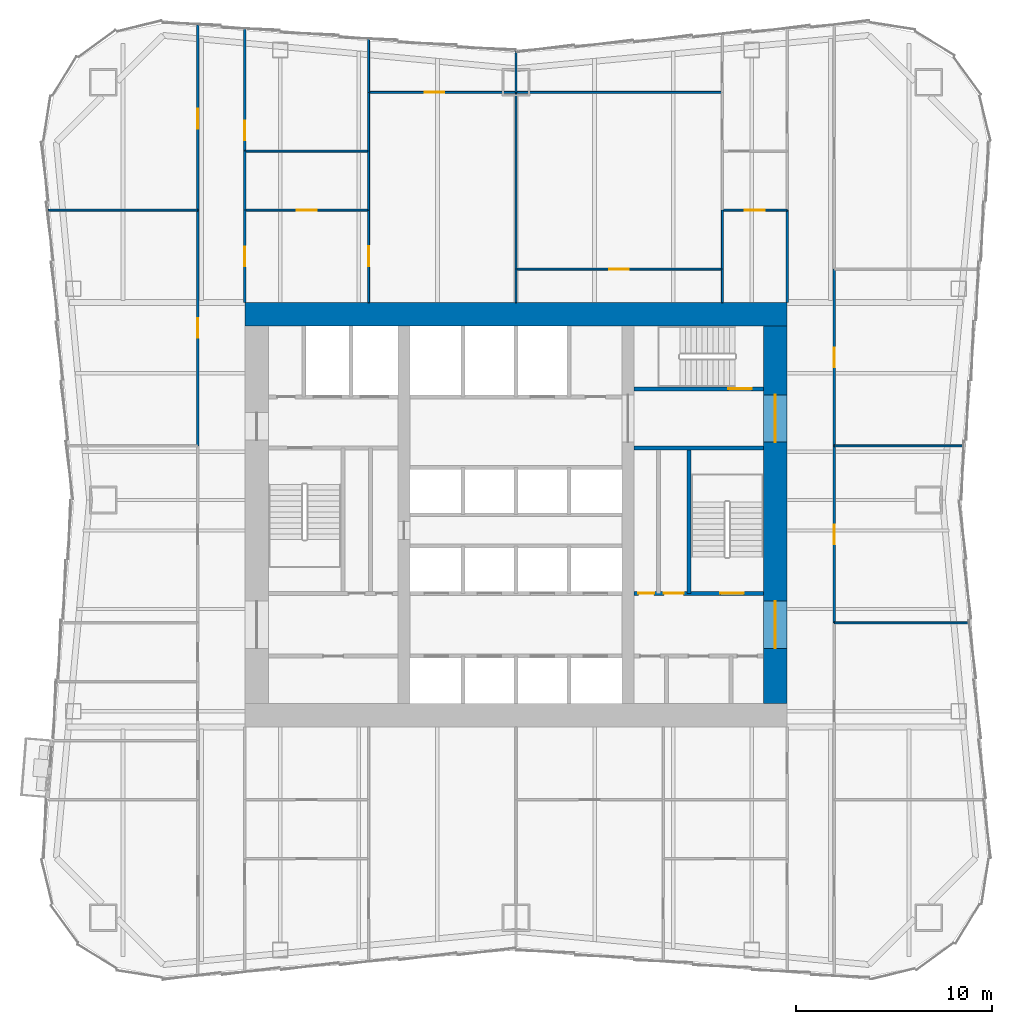
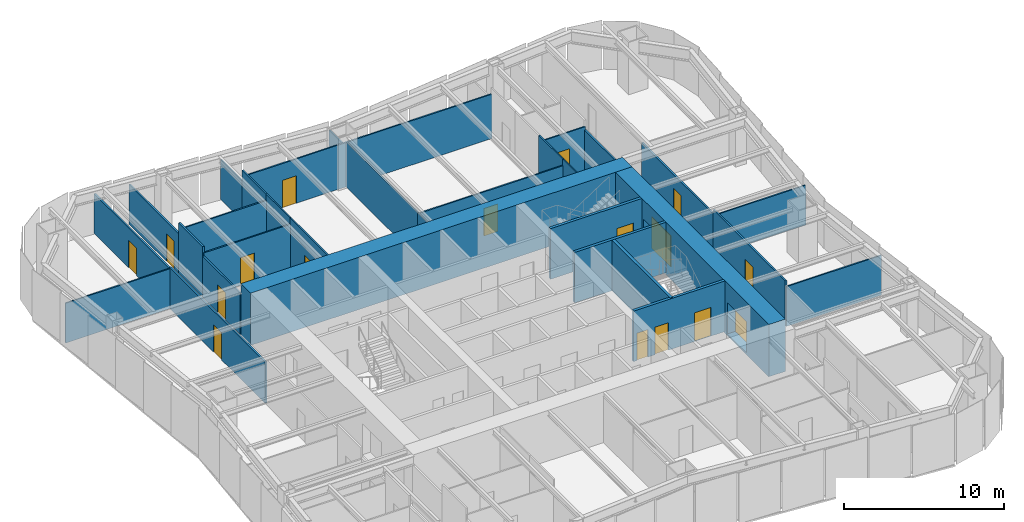
# One storey, part 6 of 9: 32 walls, 17 doors, 17 openings.
"""IFC4 building model written with IfcOpenShell, lengths in metres."""

from ifc_helpers import new_model, si_unit, direction, frame, frame_2d, origin, place, context, subcontext, project, spatial, rectangle, extrude, material, layer, layer_set, type_object, element, fill, save


model = new_model("IFC4")

# Units and contexts
model_context = context("Model", 3, precision=1e-05, world=origin(), true_north=direction((0.0, 1.0)))
body_context = subcontext(model_context, "Body", "Model", "MODEL_VIEW")
ifc_project = project(units=[si_unit("LENGTHUNIT", "METRE"), si_unit("AREAUNIT", "SQUARE_METRE"), si_unit("VOLUMEUNIT", "CUBIC_METRE"), si_unit("PLANEANGLEUNIT", "RADIAN"), si_unit("MASSUNIT", "GRAM", prefix="KILO")], contexts=[model_context])

# Site, building, storey
site_placement = place(None, origin())
site = spatial("IfcSite", under=ifc_project, at=site_placement, CompositionType="ELEMENT")
building_placement = place(site_placement, origin())
building = spatial("IfcBuilding", under=site, at=building_placement, Name="Verdant Reach Tower", CompositionType="ELEMENT")
storey_placement = place(building_placement, frame((0.0, 0.0, 102.0)))
storey = spatial("IfcBuildingStorey", under=building, at=storey_placement, Name="L23", CompositionType="ELEMENT", Elevation=102.0)

# Wall, openings, doors
ifc_material_1 = material(Name="Concrete C40/50", Category="concrete")
ifc_layer_1 = layer(ifc_material_1, 0.199951171875)
ifc_layer_set_1 = layer_set([ifc_layer_1], Name="CO-WALL-STAIR")
wall_type_1 = type_object("IfcWallType", Name="CO-WALL-STAIR", PredefinedType="PARTITIONING", material=ifc_layer_set_1)
wall_1_placement = place(storey_placement, frame((6.0, 24.0, 0.0), z_axis=(0.0, 0.0, 1.0), x_axis=(1.0, 0.0, 0.0)))
wall_1 = element("IfcWall", 1, at=wall_1_placement, inside=storey, type_object=wall_type_1, Name="Stair enclosure wall, L23", PredefinedType="PARTITIONING", context=body_context, shape_type="SweptSolid", body=[
    extrude(rectangle(XDim=6.60009765625, YDim=0.199951171875, at=frame_2d((3.300048828125, 0.0))), origin(), (0.0, 0.0, 1.0), 3.8701171875),
])
opening_1_placement = place(wall_1_placement, frame((0.22998046875, 0.0, 0.0)))
opening_1 = element("IfcOpeningElement", 2, at=opening_1_placement, cuts=wall_1, Name="Opening CDN", PredefinedType="OPENING", context=body_context, shape_type="SweptSolid", body=[
    extrude(rectangle(XDim=0.800048828125, YDim=2.10009765625, at=frame_2d((0.39990234375, 1.050048828125))), frame((0.0, 0.10986328125, 0.0), z_axis=(0.0, -1.0, 0.0), x_axis=(1.0, 0.0, 0.0)), (0.0, 0.0, 1.0), 0.219970703125),
])
opening_2_placement = place(wall_1_placement, frame((1.530029296875, 0.0, 0.0)))
opening_2 = element("IfcOpeningElement", 3, at=opening_2_placement, cuts=wall_1, Name="Opening CD", PredefinedType="OPENING", context=body_context, shape_type="SweptSolid", body=[
    extrude(rectangle(XDim=1.0, YDim=2.10009765625, at=frame_2d((0.5, 1.050048828125))), frame((0.0, 0.10986328125, 0.0), z_axis=(0.0, -1.0, 0.0), x_axis=(1.0, 0.0, 0.0)), (0.0, 0.0, 1.0), 0.219970703125),
])
opening_3_placement = place(wall_1_placement, frame((4.39990234375, 0.0, 0.0)))
opening_3 = element("IfcOpeningElement", 4, at=opening_3_placement, cuts=wall_1, Name="Opening SD", PredefinedType="OPENING", context=body_context, shape_type="SweptSolid", body=[
    extrude(rectangle(XDim=1.199951171875, YDim=2.199951171875, at=frame_2d((0.60009765625, 1.10009765625))), frame((0.0, 0.10986328125, 0.0), z_axis=(0.0, -1.0, 0.0), x_axis=(1.0, 0.0, 0.0)), (0.0, 0.0, 1.0), 0.219970703125),
])
ifc_material_2 = material(Name="Timber", Category="wood")
door_type_1 = type_object("IfcDoorType", Name="CO-DOOR-ROOM", OperationType="NOTDEFINED", PredefinedType="DOOR", material=ifc_material_2)
door_1_placement = place(opening_2_placement, origin())
door_1 = element("IfcDoor", 5, at=door_1_placement, inside=storey, type_object=door_type_1, Name="Core room door, L23", OperationType="SINGLE_SWING_LEFT", OverallHeight=2.10009765625, OverallWidth=1.0, PredefinedType="DOOR", context=body_context, shape_type="SweptSolid", body=[
    extrude(rectangle(XDim=1.0, YDim=2.10009765625, at=frame_2d((0.5, 1.050048828125))), frame((0.0, 0.02490234375, 0.0), z_axis=(0.0, -1.0, 0.0), x_axis=(1.0, 0.0, 0.0)), (0.0, 0.0, 1.0), 0.050048828125),
])
fill(opening_2, door_1)
door_type_2 = type_object("IfcDoorType", Name="CO-DOOR-ROOM-NARROW", OperationType="NOTDEFINED", PredefinedType="DOOR", material=ifc_material_2)
door_2_placement = place(opening_1_placement, origin())
door_2 = element("IfcDoor", 6, at=door_2_placement, inside=storey, type_object=door_type_2, Name="Core room door, L23", OperationType="SINGLE_SWING_RIGHT", OverallHeight=2.10009765625, OverallWidth=0.800048828125, PredefinedType="DOOR", context=body_context, shape_type="SweptSolid", body=[
    extrude(rectangle(XDim=0.800048828125, YDim=2.10009765625, at=frame_2d((0.39990234375, 1.050048828125))), frame((0.0, 0.02490234375, 0.0), z_axis=(0.0, -1.0, 0.0), x_axis=(1.0, 0.0, 0.0)), (0.0, 0.0, 1.0), 0.050048828125),
])
fill(opening_1, door_2)
ifc_material_3 = material(Name="Steel", Category="steel")
door_type_3 = type_object("IfcDoorType", Name="CO-DOOR-STAIR", OperationType="NOTDEFINED", PredefinedType="DOOR", material=ifc_material_3)
door_3_placement = place(opening_3_placement, origin())
door_3 = element("IfcDoor", 7, at=door_3_placement, inside=storey, type_object=door_type_3, Name="Stair door, L23", OperationType="SINGLE_SWING_LEFT", OverallHeight=2.199951171875, OverallWidth=1.199951171875, PredefinedType="DOOR", context=body_context, shape_type="SweptSolid", body=[
    extrude(rectangle(XDim=1.199951171875, YDim=2.199951171875, at=frame_2d((0.60009765625, 1.10009765625))), frame((0.0, 0.02490234375, 0.0), z_axis=(0.0, -1.0, 0.0), x_axis=(1.0, 0.0, 0.0)), (0.0, 0.0, 1.0), 0.050048828125),
])
fill(opening_3, door_3)

# Wall
wall_2_placement = place(storey_placement, frame((6.0, 31.39990234375, 0.0), z_axis=(0.0, 0.0, 1.0), x_axis=(1.0, 0.0, 0.0)))
element("IfcWall", 8, at=wall_2_placement, inside=storey, type_object=wall_type_1, Name="Stair enclosure wall, L23", PredefinedType="PARTITIONING", context=body_context, shape_type="SweptSolid", body=[
    extrude(rectangle(XDim=6.60009765625, YDim=0.199951171875, at=frame_2d((3.300048828125, 0.0))), origin(), (0.0, 0.0, 1.0), 3.8701171875),
])

# Wall, opening, door
wall_3_placement = place(storey_placement, frame((6.0, 34.39990234375, 0.0), z_axis=(0.0, 0.0, 1.0), x_axis=(1.0, 0.0, 0.0)))
wall_3 = element("IfcWall", 9, at=wall_3_placement, inside=storey, type_object=wall_type_1, Name="Stair enclosure wall, L23", PredefinedType="PARTITIONING", context=body_context, shape_type="SweptSolid", body=[
    extrude(rectangle(XDim=6.60009765625, YDim=0.199951171875, at=frame_2d((3.300048828125, 0.0))), origin(), (0.0, 0.0, 1.0), 3.8701171875),
])
opening_4_placement = place(wall_3_placement, frame((4.800048828125, 0.0, 0.0)))
opening_4 = element("IfcOpeningElement", 10, at=opening_4_placement, cuts=wall_3, Name="Opening SD", PredefinedType="OPENING", context=body_context, shape_type="SweptSolid", body=[
    extrude(rectangle(XDim=1.199951171875, YDim=2.199951171875, at=frame_2d((0.60009765625, 1.10009765625))), frame((0.0, 0.10986328125, 0.0), z_axis=(0.0, -1.0, 0.0), x_axis=(1.0, 0.0, 0.0)), (0.0, 0.0, 1.0), 0.219970703125),
])
door_4_placement = place(opening_4_placement, origin())
door_4 = element("IfcDoor", 11, at=door_4_placement, inside=storey, type_object=door_type_3, Name="Stair door, L23", OperationType="SINGLE_SWING_RIGHT", OverallHeight=2.199951171875, OverallWidth=1.199951171875, PredefinedType="DOOR", context=body_context, shape_type="SweptSolid", body=[
    extrude(rectangle(XDim=1.199951171875, YDim=2.199951171875, at=frame_2d((0.60009765625, 1.10009765625))), frame((0.0, 0.02490234375, 0.0), z_axis=(0.0, -1.0, 0.0), x_axis=(1.0, 0.0, 0.0)), (0.0, 0.0, 1.0), 0.050048828125),
])
fill(opening_4, door_4)

# Walls
wall_4_placement = place(storey_placement, frame((8.800048828125, 24.0, 0.0), z_axis=(0.0, 0.0, 1.0), x_axis=(0.0, 1.0, 0.0)))
element("IfcWall", 12, at=wall_4_placement, inside=storey, type_object=wall_type_1, Name="Stair enclosure wall, L23", PredefinedType="PARTITIONING", context=body_context, shape_type="SweptSolid", body=[
    extrude(rectangle(XDim=7.39990234375, YDim=0.199951171875, at=frame_2d((3.699951171875, 0.0))), origin(), (0.0, 0.0, 1.0), 3.8701171875),
])
ifc_material_4 = material(Name="Gypsum board on steel studs", Category="steel")
ifc_layer_2 = layer(ifc_material_4, 0.10009765625)
ifc_layer_set_2 = layer_set([ifc_layer_2], Name="FL-W1 Partition 100")
wall_type_2 = type_object("IfcWallType", Name="FL-W1 Partition 100", PredefinedType="PARTITIONING", material=ifc_layer_set_2)
wall_5_placement = place(storey_placement, frame((-16.199951171875, 43.5, 0.0), z_axis=(0.0, 0.0, 1.0), x_axis=(-1.0, 0.0, 0.0)))
element("IfcWall", 13, at=wall_5_placement, inside=storey, type_object=wall_type_2, Name="Partition 23.30", PredefinedType="PARTITIONING", context=body_context, shape_type="SweptSolid", body=[
    extrude(rectangle(XDim=7.59228515625, YDim=0.10009765625, at=frame_2d((3.796142578125, 0.0))), origin(), (0.0, 0.0, 1.0), 3.0400390625),
])
wall_6_placement = place(storey_placement, frame((23.09375, 22.5, 0.0), z_axis=(0.0, 0.0, 1.0), x_axis=(-1.0, 0.0, 0.0)))
element("IfcWall", 14, at=wall_6_placement, inside=storey, type_object=wall_type_2, Name="Partition 23.32", PredefinedType="PARTITIONING", context=body_context, shape_type="SweptSolid", body=[
    extrude(rectangle(XDim=6.893798828125, YDim=0.10009765625, at=frame_2d((3.44677734375, 0.0))), origin(), (0.0, 0.0, 1.0), 3.0400390625),
])
wall_7_placement = place(storey_placement, frame((22.805908203125, 31.5, 0.0), z_axis=(0.0, 0.0, 1.0), x_axis=(-1.0, 0.0, 0.0)))
element("IfcWall", 15, at=wall_7_placement, inside=storey, type_object=wall_type_2, Name="Partition 23.33", PredefinedType="PARTITIONING", context=body_context, shape_type="SweptSolid", body=[
    extrude(rectangle(XDim=6.60595703125, YDim=0.10009765625, at=frame_2d((3.302978515625, 0.0))), origin(), (0.0, 0.0, 1.0), 3.0400390625),
])

# Wall, opening, door
wall_8_placement = place(storey_placement, frame((-13.800048828125, 43.5, 0.0), z_axis=(0.0, 0.0, 1.0), x_axis=(1.0, 0.0, 0.0)))
wall_8 = element("IfcWall", 16, at=wall_8_placement, inside=storey, type_object=wall_type_2, Name="Partition 23.48", PredefinedType="PARTITIONING", context=body_context, shape_type="SweptSolid", body=[
    extrude(rectangle(XDim=6.300048828125, YDim=0.10009765625, at=frame_2d((3.14990234375, 0.0))), origin(), (0.0, 0.0, 1.0), 3.389892578125),
])
opening_5_placement = place(wall_8_placement, frame((2.64990234375, 0.0, 0.0)))
opening_5 = element("IfcOpeningElement", 17, at=opening_5_placement, cuts=wall_8, Name="Opening D3", PredefinedType="OPENING", context=body_context, shape_type="SweptSolid", body=[
    extrude(rectangle(XDim=1.0, YDim=2.10009765625, at=frame_2d((0.5, 1.050048828125))), frame((0.0, 0.06005859375, 0.0), z_axis=(0.0, -1.0, 0.0), x_axis=(1.0, 0.0, 0.0)), (0.0, 0.0, 1.0), 0.1201171875),
])
ifc_material_5 = material(Name="Painted timber door leaf", Category="wood")
door_type_4 = type_object("IfcDoorType", Name="FL-D3 Door 1000x2100", OperationType="NOTDEFINED", PredefinedType="DOOR", material=ifc_material_5)
door_5_placement = place(opening_5_placement, origin())
door_5 = element("IfcDoor", 18, at=door_5_placement, inside=storey, type_object=door_type_4, Name="Door 23-025", OperationType="SINGLE_SWING_LEFT", OverallHeight=2.10009765625, OverallWidth=1.0, PredefinedType="DOOR", context=body_context, shape_type="SweptSolid", body=[
    extrude(rectangle(XDim=1.0, YDim=2.10009765625, at=frame_2d((0.5, 1.050048828125))), frame((0.0, 0.02490234375, 0.0), z_axis=(0.0, -1.0, 0.0), x_axis=(1.0, 0.0, 0.0)), (0.0, 0.0, 1.0), 0.050048828125),
])
fill(opening_5, door_5)

wall_9_placement = place(storey_placement, frame((-7.5, 43.50390625, 0.0), z_axis=(0.0, 0.0, 1.0), x_axis=(0.0, -1.0, 0.0)))
wall_9 = element("IfcWall", 19, at=wall_9_placement, inside=storey, type_object=wall_type_2, Name="Partition 23.49", PredefinedType="PARTITIONING", context=body_context, shape_type="SweptSolid", body=[
    extrude(rectangle(XDim=4.703857421875, YDim=0.10009765625, at=frame_2d((2.35205078125, 0.0))), origin(), (0.0, 0.0, 1.0), 3.8701171875),
])
opening_6_placement = place(wall_9_placement, frame((1.85205078125, 0.0, 0.0)))
opening_6 = element("IfcOpeningElement", 20, at=opening_6_placement, cuts=wall_9, Name="Opening D3", PredefinedType="OPENING", context=body_context, shape_type="SweptSolid", body=[
    extrude(rectangle(XDim=1.0, YDim=2.10009765625, at=frame_2d((0.5, 1.050048828125))), frame((0.0, 0.06005859375, 0.0), z_axis=(0.0, -1.0, 0.0), x_axis=(1.0, 0.0, 0.0)), (0.0, 0.0, 1.0), 0.1201171875),
])
door_6_placement = place(opening_6_placement, origin())
door_6 = element("IfcDoor", 21, at=door_6_placement, inside=storey, type_object=door_type_4, Name="Door 23-026", OperationType="SINGLE_SWING_RIGHT", OverallHeight=2.10009765625, OverallWidth=1.0, PredefinedType="DOOR", context=body_context, shape_type="SweptSolid", body=[
    extrude(rectangle(XDim=1.0, YDim=2.10009765625, at=frame_2d((0.5, 1.050048828125))), frame((0.0, 0.02490234375, 0.0), z_axis=(0.0, -1.0, 0.0), x_axis=(1.0, 0.0, 0.0)), (0.0, 0.0, 1.0), 0.050048828125),
])
fill(opening_6, door_6)

# Walls
wall_10_placement = place(storey_placement, frame((-7.5, 46.5, 0.0), z_axis=(0.0, 0.0, 1.0), x_axis=(-1.0, 0.0, 0.0)))
element("IfcWall", 22, at=wall_10_placement, inside=storey, type_object=wall_type_2, Name="Partition 23.50", PredefinedType="PARTITIONING", context=body_context, shape_type="SweptSolid", body=[
    extrude(rectangle(XDim=6.300048828125, YDim=0.10009765625, at=frame_2d((3.14990234375, 0.0))), origin(), (0.0, 0.0, 1.0), 3.389892578125),
])
wall_11_placement = place(storey_placement, frame((-7.5, 43.49609375, 0.0), z_axis=(0.0, 0.0, 1.0), x_axis=(0.0, 1.0, 0.0)))
element("IfcWall", 23, at=wall_11_placement, inside=storey, type_object=wall_type_2, Name="Partition 23.51", PredefinedType="PARTITIONING", context=body_context, shape_type="SweptSolid", body=[
    extrude(rectangle(XDim=3.0078125, YDim=0.10009765625, at=frame_2d((1.50390625, 0.0))), origin(), (0.0, 0.0, 1.0), 3.8701171875),
])
wall_12_placement = place(storey_placement, frame((-7.5, 46.49609375, 0.0), z_axis=(0.0, 0.0, 1.0), x_axis=(0.0, 1.0, 0.0)))
element("IfcWall", 24, at=wall_12_placement, inside=storey, type_object=wall_type_2, Name="Partition 23.52", PredefinedType="PARTITIONING", context=body_context, shape_type="SweptSolid", body=[
    extrude(rectangle(XDim=3.00390625, YDim=0.10009765625, at=frame_2d((1.501953125, 0.0))), origin(), (0.0, 0.0, 1.0), 3.8701171875),
])
wall_13_placement = place(storey_placement, frame((-7.5, 49.5, 0.0), z_axis=(0.0, 0.0, 1.0), x_axis=(0.0, 1.0, 0.0)))
element("IfcWall", 25, at=wall_13_placement, inside=storey, type_object=wall_type_2, Name="Partition 23.53", PredefinedType="PARTITIONING", context=body_context, shape_type="SweptSolid", body=[
    extrude(rectangle(XDim=2.705078125, YDim=0.10009765625, at=frame_2d((1.3525390625, 0.0))), origin(), (0.0, 0.0, 1.0), 3.0400390625),
])

# Wall, opening, door
wall_14_placement = place(storey_placement, frame((-7.5, 49.5, 0.0), z_axis=(0.0, 0.0, 1.0), x_axis=(1.0, 0.0, 0.0)))
wall_14 = element("IfcWall", 26, at=wall_14_placement, inside=storey, type_object=wall_type_2, Name="Partition 23.54", PredefinedType="PARTITIONING", context=body_context, shape_type="SweptSolid", body=[
    extrude(rectangle(XDim=7.5, YDim=0.10009765625, at=frame_2d((3.75, 0.0))), origin(), (0.0, 0.0, 1.0), 3.389892578125),
])
opening_7_placement = place(wall_14_placement, frame((2.85009765625, 0.0, 0.0)))
opening_7 = element("IfcOpeningElement", 27, at=opening_7_placement, cuts=wall_14, Name="Opening D3", PredefinedType="OPENING", context=body_context, shape_type="SweptSolid", body=[
    extrude(rectangle(XDim=1.0, YDim=2.10009765625, at=frame_2d((0.5, 1.050048828125))), frame((0.0, 0.06005859375, 0.0), z_axis=(0.0, -1.0, 0.0), x_axis=(1.0, 0.0, 0.0)), (0.0, 0.0, 1.0), 0.1201171875),
])
door_7_placement = place(opening_7_placement, origin())
door_7 = element("IfcDoor", 28, at=door_7_placement, inside=storey, type_object=door_type_4, Name="Door 23-027", OperationType="SINGLE_SWING_LEFT", OverallHeight=2.10009765625, OverallWidth=1.0, PredefinedType="DOOR", context=body_context, shape_type="SweptSolid", body=[
    extrude(rectangle(XDim=1.0, YDim=2.10009765625, at=frame_2d((0.5, 1.050048828125))), frame((0.0, 0.02490234375, 0.0), z_axis=(0.0, -1.0, 0.0), x_axis=(1.0, 0.0, 0.0)), (0.0, 0.0, 1.0), 0.050048828125),
])
fill(opening_7, door_7)

# Walls
wall_15_placement = place(storey_placement, frame((0.0, 38.800048828125, 0.0), z_axis=(0.0, 0.0, 1.0), x_axis=(0.0, 1.0, 0.0)))
element("IfcWall", 29, at=wall_15_placement, inside=storey, type_object=wall_type_2, Name="Partition 23.55", PredefinedType="PARTITIONING", context=body_context, shape_type="SweptSolid", body=[
    extrude(rectangle(XDim=1.699951171875, YDim=0.10009765625, at=frame_2d((0.85009765625, 0.0))), origin(), (0.0, 0.0, 1.0), 3.43994140625),
])
wall_16_placement = place(storey_placement, frame((0.0, 40.5, 0.0), z_axis=(0.0, 0.0, 1.0), x_axis=(0.0, 1.0, 0.0)))
element("IfcWall", 30, at=wall_16_placement, inside=storey, type_object=wall_type_2, Name="Partition 23.56", PredefinedType="PARTITIONING", context=body_context, shape_type="SweptSolid", body=[
    extrude(rectangle(XDim=9.0, YDim=0.10009765625, at=frame_2d((4.5, 0.0))), origin(), (0.0, 0.0, 1.0), 3.43994140625),
])
wall_17_placement = place(storey_placement, frame((0.0, 49.5, 0.0), z_axis=(0.0, 0.0, 1.0), x_axis=(0.0, 1.0, 0.0)))
element("IfcWall", 31, at=wall_17_placement, inside=storey, type_object=wall_type_2, Name="Partition 23.57", PredefinedType="PARTITIONING", context=body_context, shape_type="SweptSolid", body=[
    extrude(rectangle(XDim=2.080078125, YDim=0.10009765625, at=frame_2d((1.0400390625, 0.0))), origin(), (0.0, 0.0, 1.0), 3.0400390625),
])

# Wall, opening, door
wall_18_placement = place(storey_placement, frame((13.800048828125, 43.5, 0.0), z_axis=(0.0, 0.0, 1.0), x_axis=(-1.0, 0.0, 0.0)))
wall_18 = element("IfcWall", 32, at=wall_18_placement, inside=storey, type_object=wall_type_2, Name="Partition 23.58", PredefinedType="PARTITIONING", context=body_context, shape_type="SweptSolid", body=[
    extrude(rectangle(XDim=3.300048828125, YDim=0.10009765625, at=frame_2d((1.64990234375, 0.0))), origin(), (0.0, 0.0, 1.0), 3.389892578125),
])
opening_8_placement = place(wall_18_placement, frame((1.14990234375, 0.0, 0.0)))
opening_8 = element("IfcOpeningElement", 33, at=opening_8_placement, cuts=wall_18, Name="Opening D3", PredefinedType="OPENING", context=body_context, shape_type="SweptSolid", body=[
    extrude(rectangle(XDim=1.0, YDim=2.10009765625, at=frame_2d((0.5, 1.050048828125))), frame((0.0, 0.06005859375, 0.0), z_axis=(0.0, -1.0, 0.0), x_axis=(1.0, 0.0, 0.0)), (0.0, 0.0, 1.0), 0.1201171875),
])
door_8_placement = place(opening_8_placement, origin())
door_8 = element("IfcDoor", 34, at=door_8_placement, inside=storey, type_object=door_type_4, Name="Door 23-028", OperationType="SINGLE_SWING_RIGHT", OverallHeight=2.10009765625, OverallWidth=1.0, PredefinedType="DOOR", context=body_context, shape_type="SweptSolid", body=[
    extrude(rectangle(XDim=1.0, YDim=2.10009765625, at=frame_2d((0.5, 1.050048828125))), frame((0.0, 0.02490234375, 0.0), z_axis=(0.0, -1.0, 0.0), x_axis=(1.0, 0.0, 0.0)), (0.0, 0.0, 1.0), 0.050048828125),
])
fill(opening_8, door_8)

# Walls
wall_19_placement = place(storey_placement, frame((10.5, 40.5, 0.0), z_axis=(0.0, 0.0, 1.0), x_axis=(0.0, -1.0, 0.0)))
element("IfcWall", 35, at=wall_19_placement, inside=storey, type_object=wall_type_2, Name="Partition 23.59", PredefinedType="PARTITIONING", context=body_context, shape_type="SweptSolid", body=[
    extrude(rectangle(XDim=1.699951171875, YDim=0.10009765625, at=frame_2d((0.85009765625, 0.0))), origin(), (0.0, 0.0, 1.0), 3.8701171875),
])
wall_20_placement = place(storey_placement, frame((10.5, 43.50390625, 0.0), z_axis=(0.0, 0.0, 1.0), x_axis=(0.0, -1.0, 0.0)))
element("IfcWall", 36, at=wall_20_placement, inside=storey, type_object=wall_type_2, Name="Partition 23.60", PredefinedType="PARTITIONING", context=body_context, shape_type="SweptSolid", body=[
    extrude(rectangle(XDim=3.00390625, YDim=0.10009765625, at=frame_2d((1.501953125, 0.0))), origin(), (0.0, 0.0, 1.0), 3.8701171875),
])

# Wall, opening, door
wall_21_placement = place(storey_placement, frame((10.5, 40.5, 0.0), z_axis=(0.0, 0.0, 1.0), x_axis=(-1.0, 0.0, 0.0)))
wall_21 = element("IfcWall", 37, at=wall_21_placement, inside=storey, type_object=wall_type_2, Name="Partition 23.65", PredefinedType="PARTITIONING", context=body_context, shape_type="SweptSolid", body=[
    extrude(rectangle(XDim=10.5, YDim=0.10009765625, at=frame_2d((5.25, 0.0))), origin(), (0.0, 0.0, 1.0), 3.389892578125),
])
opening_9_placement = place(wall_21_placement, frame((4.75, 0.0, 0.0)))
opening_9 = element("IfcOpeningElement", 38, at=opening_9_placement, cuts=wall_21, Name="Opening D3", PredefinedType="OPENING", context=body_context, shape_type="SweptSolid", body=[
    extrude(rectangle(XDim=1.0, YDim=2.10009765625, at=frame_2d((0.5, 1.050048828125))), frame((0.0, 0.06005859375, 0.0), z_axis=(0.0, -1.0, 0.0), x_axis=(1.0, 0.0, 0.0)), (0.0, 0.0, 1.0), 0.1201171875),
])
door_9_placement = place(opening_9_placement, origin())
door_9 = element("IfcDoor", 39, at=door_9_placement, inside=storey, type_object=door_type_4, Name="Door 23-032", OperationType="SINGLE_SWING_RIGHT", OverallHeight=2.10009765625, OverallWidth=1.0, PredefinedType="DOOR", context=body_context, shape_type="SweptSolid", body=[
    extrude(rectangle(XDim=1.0, YDim=2.10009765625, at=frame_2d((0.5, 1.050048828125))), frame((0.0, 0.02490234375, 0.0), z_axis=(0.0, -1.0, 0.0), x_axis=(1.0, 0.0, 0.0)), (0.0, 0.0, 1.0), 0.050048828125),
])
fill(opening_9, door_9)

# Wall
wall_22_placement = place(storey_placement, frame((10.5, 49.5, 0.0), z_axis=(0.0, 0.0, 1.0), x_axis=(-1.0, 0.0, 0.0)))
element("IfcWall", 40, at=wall_22_placement, inside=storey, type_object=wall_type_2, Name="Partition 23.66", PredefinedType="PARTITIONING", context=body_context, shape_type="SweptSolid", body=[
    extrude(rectangle(XDim=10.5, YDim=0.10009765625, at=frame_2d((5.25, 0.0))), origin(), (0.0, 0.0, 1.0), 3.389892578125),
])

# Wall, opening, door
ifc_material_6 = material(Name="Gypsum board on steel studs, fire rated", Category="steel")
ifc_layer_3 = layer(ifc_material_6, 0.125)
ifc_layer_set_3 = layer_set([ifc_layer_3], Name="FL-W2 Corridor wall 125")
wall_type_3 = type_object("IfcWallType", Name="FL-W2 Corridor wall 125", PredefinedType="PARTITIONING", material=ifc_layer_set_3)
wall_23_placement = place(storey_placement, frame((-16.199951171875, 31.5, 0.0), z_axis=(0.0, 0.0, 1.0), x_axis=(0.0, 1.0, 0.0)))
wall_23 = element("IfcWall", 41, at=wall_23_placement, inside=storey, type_object=wall_type_3, Name="Partition 23.06", PredefinedType="PARTITIONING", context=body_context, shape_type="SweptSolid", body=[
    extrude(rectangle(XDim=12.0, YDim=0.125, at=frame_2d((6.0, 0.0))), origin(), (0.0, 0.0, 1.0), 3.139892578125),
])
opening_10_placement = place(wall_23_placement, frame((5.5, 0.0, 0.0)))
opening_10 = element("IfcOpeningElement", 42, at=opening_10_placement, cuts=wall_23, Name="Opening D2", PredefinedType="OPENING", context=body_context, shape_type="SweptSolid", body=[
    extrude(rectangle(XDim=1.0, YDim=2.10009765625, at=frame_2d((0.5, 1.050048828125))), frame((0.0, 0.072509765625, 0.0), z_axis=(0.0, -1.0, 0.0), x_axis=(1.0, 0.0, 0.0)), (0.0, 0.0, 1.0), 0.14501953125),
])
ifc_material_7 = material(Name="Timber door leaf, fire rated", Category="wood")
door_type_5 = type_object("IfcDoorType", Name="FL-D2 Entrance door 1000x2100 FD30", OperationType="NOTDEFINED", PredefinedType="DOOR", material=ifc_material_7)
door_10_placement = place(opening_10_placement, origin())
door_10 = element("IfcDoor", 43, at=door_10_placement, inside=storey, type_object=door_type_5, Name="Door 23-006", OperationType="SINGLE_SWING_RIGHT", OverallHeight=2.10009765625, OverallWidth=1.0, PredefinedType="DOOR", context=body_context, shape_type="SweptSolid", body=[
    extrude(rectangle(XDim=1.0, YDim=2.10009765625, at=frame_2d((0.5, 1.050048828125))), frame((0.0, 0.02490234375, 0.0), z_axis=(0.0, -1.0, 0.0), x_axis=(1.0, 0.0, 0.0)), (0.0, 0.0, 1.0), 0.050048828125),
])
fill(opening_10, door_10)

wall_24_placement = place(storey_placement, frame((-16.199951171875, 43.5, 0.0), z_axis=(0.0, 0.0, 1.0), x_axis=(0.0, 1.0, 0.0)))
wall_24 = element("IfcWall", 44, at=wall_24_placement, inside=storey, type_object=wall_type_3, Name="Partition 23.07", PredefinedType="PARTITIONING", context=body_context, shape_type="SweptSolid", body=[
    extrude(rectangle(XDim=9.429931640625, YDim=0.125, at=frame_2d((4.71484375, 0.0))), origin(), (0.0, 0.0, 1.0), 3.0400390625),
])
opening_11_placement = place(wall_24_placement, frame((4.14990234375, 0.0, 0.0)))
opening_11 = element("IfcOpeningElement", 45, at=opening_11_placement, cuts=wall_24, Name="Opening D2", PredefinedType="OPENING", context=body_context, shape_type="SweptSolid", body=[
    extrude(rectangle(XDim=1.0, YDim=2.10009765625, at=frame_2d((0.5, 1.050048828125))), frame((0.0, 0.072509765625, 0.0), z_axis=(0.0, -1.0, 0.0), x_axis=(1.0, 0.0, 0.0)), (0.0, 0.0, 1.0), 0.14501953125),
])
door_11_placement = place(opening_11_placement, origin())
door_11 = element("IfcDoor", 46, at=door_11_placement, inside=storey, type_object=door_type_5, Name="Door 23-007", OperationType="SINGLE_SWING_LEFT", OverallHeight=2.10009765625, OverallWidth=1.0, PredefinedType="DOOR", context=body_context, shape_type="SweptSolid", body=[
    extrude(rectangle(XDim=1.0, YDim=2.10009765625, at=frame_2d((0.5, 1.050048828125))), frame((0.0, 0.02490234375, 0.0), z_axis=(0.0, -1.0, 0.0), x_axis=(1.0, 0.0, 0.0)), (0.0, 0.0, 1.0), 0.050048828125),
])
fill(opening_11, door_11)

wall_25_placement = place(storey_placement, frame((-13.800048828125, 43.5, 0.0), z_axis=(0.0, 0.0, 1.0), x_axis=(0.0, -1.0, 0.0)))
wall_25 = element("IfcWall", 47, at=wall_25_placement, inside=storey, type_object=wall_type_3, Name="Partition 23.11", PredefinedType="PARTITIONING", context=body_context, shape_type="SweptSolid", body=[
    extrude(rectangle(XDim=4.699951171875, YDim=0.125, at=frame_2d((2.35009765625, 0.0))), origin(), (0.0, 0.0, 1.0), 3.139892578125),
])
opening_12_placement = place(wall_25_placement, frame((1.85009765625, 0.0, 0.0)))
opening_12 = element("IfcOpeningElement", 48, at=opening_12_placement, cuts=wall_25, Name="Opening D2", PredefinedType="OPENING", context=body_context, shape_type="SweptSolid", body=[
    extrude(rectangle(XDim=1.0, YDim=2.10009765625, at=frame_2d((0.5, 1.050048828125))), frame((0.0, 0.072509765625, 0.0), z_axis=(0.0, -1.0, 0.0), x_axis=(1.0, 0.0, 0.0)), (0.0, 0.0, 1.0), 0.14501953125),
])
door_12_placement = place(opening_12_placement, origin())
door_12 = element("IfcDoor", 49, at=door_12_placement, inside=storey, type_object=door_type_5, Name="Door 23-009", OperationType="SINGLE_SWING_LEFT", OverallHeight=2.10009765625, OverallWidth=1.0, PredefinedType="DOOR", context=body_context, shape_type="SweptSolid", body=[
    extrude(rectangle(XDim=1.0, YDim=2.10009765625, at=frame_2d((0.5, 1.050048828125))), frame((0.0, 0.02490234375, 0.0), z_axis=(0.0, -1.0, 0.0), x_axis=(1.0, 0.0, 0.0)), (0.0, 0.0, 1.0), 0.050048828125),
])
fill(opening_12, door_12)

# Wall
wall_26_placement = place(storey_placement, frame((-13.800048828125, 43.5, 0.0), z_axis=(0.0, 0.0, 1.0), x_axis=(0.0, 1.0, 0.0)))
element("IfcWall", 50, at=wall_26_placement, inside=storey, type_object=wall_type_3, Name="Partition 23.12", PredefinedType="PARTITIONING", context=body_context, shape_type="SweptSolid", body=[
    extrude(rectangle(XDim=3.0, YDim=0.125, at=frame_2d((1.5, 0.0))), origin(), (0.0, 0.0, 1.0), 3.8701171875),
])

# Wall, opening, door
wall_27_placement = place(storey_placement, frame((-13.800048828125, 52.72998046875, 0.0), z_axis=(0.0, 0.0, 1.0), x_axis=(0.0, -1.0, 0.0)))
wall_27 = element("IfcWall", 51, at=wall_27_placement, inside=storey, type_object=wall_type_3, Name="Partition 23.13", PredefinedType="PARTITIONING", context=body_context, shape_type="SweptSolid", body=[
    extrude(rectangle(XDim=6.22998046875, YDim=0.125, at=frame_2d((3.114990234375, 0.0))), origin(), (0.0, 0.0, 1.0), 3.0400390625),
])
opening_13_placement = place(wall_27_placement, frame((4.68017578125, 0.0, 0.0)))
opening_13 = element("IfcOpeningElement", 52, at=opening_13_placement, cuts=wall_27, Name="Opening D2", PredefinedType="OPENING", context=body_context, shape_type="SweptSolid", body=[
    extrude(rectangle(XDim=1.0, YDim=2.10009765625, at=frame_2d((0.5, 1.050048828125))), frame((0.0, 0.072509765625, 0.0), z_axis=(0.0, -1.0, 0.0), x_axis=(1.0, 0.0, 0.0)), (0.0, 0.0, 1.0), 0.14501953125),
])
door_13_placement = place(opening_13_placement, origin())
door_13 = element("IfcDoor", 53, at=door_13_placement, inside=storey, type_object=door_type_5, Name="Door 23-010", OperationType="SINGLE_SWING_RIGHT", OverallHeight=2.10009765625, OverallWidth=1.0, PredefinedType="DOOR", context=body_context, shape_type="SweptSolid", body=[
    extrude(rectangle(XDim=1.0, YDim=2.10009765625, at=frame_2d((0.5, 1.050048828125))), frame((0.0, 0.02490234375, 0.0), z_axis=(0.0, -1.0, 0.0), x_axis=(1.0, 0.0, 0.0)), (0.0, 0.0, 1.0), 0.050048828125),
])
fill(opening_13, door_13)

wall_28_placement = place(storey_placement, frame((16.199951171875, 31.5, 0.0), z_axis=(0.0, 0.0, 1.0), x_axis=(0.0, -1.0, 0.0)))
wall_28 = element("IfcWall", 54, at=wall_28_placement, inside=storey, type_object=wall_type_3, Name="Partition 23.16", PredefinedType="PARTITIONING", context=body_context, shape_type="SweptSolid", body=[
    extrude(rectangle(XDim=9.0, YDim=0.125, at=frame_2d((4.5, 0.0))), origin(), (0.0, 0.0, 1.0), 3.47998046875),
])
opening_14_placement = place(wall_28_placement, frame((4.0, 0.0, 0.0)))
opening_14 = element("IfcOpeningElement", 55, at=opening_14_placement, cuts=wall_28, Name="Opening D2", PredefinedType="OPENING", context=body_context, shape_type="SweptSolid", body=[
    extrude(rectangle(XDim=1.0, YDim=2.10009765625, at=frame_2d((0.5, 1.050048828125))), frame((0.0, 0.072509765625, 0.0), z_axis=(0.0, -1.0, 0.0), x_axis=(1.0, 0.0, 0.0)), (0.0, 0.0, 1.0), 0.14501953125),
])
door_14_placement = place(opening_14_placement, origin())
door_14 = element("IfcDoor", 56, at=door_14_placement, inside=storey, type_object=door_type_5, Name="Door 23-013", OperationType="SINGLE_SWING_LEFT", OverallHeight=2.10009765625, OverallWidth=1.0, PredefinedType="DOOR", context=body_context, shape_type="SweptSolid", body=[
    extrude(rectangle(XDim=1.0, YDim=2.10009765625, at=frame_2d((0.5, 1.050048828125))), frame((0.0, 0.02490234375, 0.0), z_axis=(0.0, -1.0, 0.0), x_axis=(1.0, 0.0, 0.0)), (0.0, 0.0, 1.0), 0.050048828125),
])
fill(opening_14, door_14)

wall_29_placement = place(storey_placement, frame((16.199951171875, 40.5, 0.0), z_axis=(0.0, 0.0, 1.0), x_axis=(0.0, -1.0, 0.0)))
wall_29 = element("IfcWall", 57, at=wall_29_placement, inside=storey, type_object=wall_type_3, Name="Partition 23.17", PredefinedType="PARTITIONING", context=body_context, shape_type="SweptSolid", body=[
    extrude(rectangle(XDim=9.0, YDim=0.125, at=frame_2d((4.5, 0.0))), origin(), (0.0, 0.0, 1.0), 3.139892578125),
])
opening_15_placement = place(wall_29_placement, frame((4.0, 0.0, 0.0)))
opening_15 = element("IfcOpeningElement", 58, at=opening_15_placement, cuts=wall_29, Name="Opening D2", PredefinedType="OPENING", context=body_context, shape_type="SweptSolid", body=[
    extrude(rectangle(XDim=1.0, YDim=2.10009765625, at=frame_2d((0.5, 1.050048828125))), frame((0.0, 0.072509765625, 0.0), z_axis=(0.0, -1.0, 0.0), x_axis=(1.0, 0.0, 0.0)), (0.0, 0.0, 1.0), 0.14501953125),
])
door_15_placement = place(opening_15_placement, origin())
door_15 = element("IfcDoor", 59, at=door_15_placement, inside=storey, type_object=door_type_5, Name="Door 23-014", OperationType="SINGLE_SWING_RIGHT", OverallHeight=2.10009765625, OverallWidth=1.0, PredefinedType="DOOR", context=body_context, shape_type="SweptSolid", body=[
    extrude(rectangle(XDim=1.0, YDim=2.10009765625, at=frame_2d((0.5, 1.050048828125))), frame((0.0, 0.02490234375, 0.0), z_axis=(0.0, -1.0, 0.0), x_axis=(1.0, 0.0, 0.0)), (0.0, 0.0, 1.0), 0.050048828125),
])
fill(opening_15, door_15)

# Walls
wall_30_placement = place(storey_placement, frame((13.800048828125, 43.5, 0.0), z_axis=(0.0, 0.0, 1.0), x_axis=(0.0, -1.0, 0.0)))
element("IfcWall", 60, at=wall_30_placement, inside=storey, type_object=wall_type_3, Name="Partition 23.22", PredefinedType="PARTITIONING", context=body_context, shape_type="SweptSolid", body=[
    extrude(rectangle(XDim=4.699951171875, YDim=0.125, at=frame_2d((2.35009765625, 0.0))), origin(), (0.0, 0.0, 1.0), 3.139892578125),
])
ifc_material_8 = material(Name="Concrete C70/85", Category="concrete")
ifc_layer_4 = layer(ifc_material_8, 1.199951171875)
ifc_layer_set_4 = layer_set([ifc_layer_4], Name="ST-CORE-WALL-1200")
wall_type_4 = type_object("IfcWallType", Name="ST-CORE-WALL-1200", PredefinedType="SHEAR", material=ifc_layer_set_4)
wall_31_placement = place(storey_placement, frame((-13.800048828125, 38.199951171875, -0.1298828125), z_axis=(0.0, 0.0, 1.0), x_axis=(1.0, 0.0, 0.0)))
element("IfcWall", 61, at=wall_31_placement, inside=storey, type_object=wall_type_4, Name="Core wall N, L23", PredefinedType="SHEAR", context=body_context, shape_type="SweptSolid", body=[
    extrude(rectangle(XDim=27.60009765625, YDim=1.199951171875, at=frame_2d((13.800048828125, 0.0))), origin(), (0.0, 0.0, 1.0), 4.0),
])

# Wall, openings, doors
wall_32_placement = place(storey_placement, frame((13.199951171875, 18.39990234375, -0.1298828125), z_axis=(0.0, 0.0, 1.0), x_axis=(0.0, 1.0, 0.0)))
wall_32 = element("IfcWall", 62, at=wall_32_placement, inside=storey, type_object=wall_type_4, Name="Core wall E, L23", PredefinedType="SHEAR", context=body_context, shape_type="SweptSolid", body=[
    extrude(rectangle(XDim=19.2001953125, YDim=1.199951171875, at=frame_2d((9.60009765625, 0.0))), origin(), (0.0, 0.0, 1.0), 4.0),
])
opening_16_placement = place(wall_32_placement, frame((2.800048828125, 0.0, 0.1298828125)))
opening_16 = element("IfcOpeningElement", 63, at=opening_16_placement, cuts=wall_32, Name="Opening LB", PredefinedType="OPENING", context=body_context, shape_type="SweptSolid", body=[
    extrude(rectangle(XDim=2.39990234375, YDim=2.39990234375, at=frame_2d((1.199951171875, 1.199951171875))), frame((0.0, 0.60986328125, 0.0), z_axis=(0.0, -1.0, 0.0), x_axis=(1.0, 0.0, 0.0)), (0.0, 0.0, 1.0), 1.219970703125),
])
opening_17_placement = place(wall_32_placement, frame((13.300048828125, 0.0, 0.1298828125)))
opening_17 = element("IfcOpeningElement", 64, at=opening_17_placement, cuts=wall_32, Name="Opening LB", PredefinedType="OPENING", context=body_context, shape_type="SweptSolid", body=[
    extrude(rectangle(XDim=2.39990234375, YDim=2.39990234375, at=frame_2d((1.199951171875, 1.199951171875))), frame((0.0, 0.60986328125, 0.0), z_axis=(0.0, -1.0, 0.0), x_axis=(1.0, 0.0, 0.0)), (0.0, 0.0, 1.0), 1.219970703125),
])
ifc_material_9 = material(Name="Glass and steel", Category="steel")
door_type_6 = type_object("IfcDoorType", Name="CO-DOOR-LOBBY", OperationType="DOUBLE_DOOR_SINGLE_SWING", PredefinedType="DOOR", material=ifc_material_9)
door_16_placement = place(opening_16_placement, origin())
door_16 = element("IfcDoor", 65, at=door_16_placement, inside=storey, type_object=door_type_6, Name="Core entrance door, L23", OperationType="DOUBLE_DOOR_SINGLE_SWING", OverallHeight=2.39990234375, OverallWidth=2.39990234375, PredefinedType="DOOR", context=body_context, shape_type="SweptSolid", body=[
    extrude(rectangle(XDim=2.39990234375, YDim=2.39990234375, at=frame_2d((1.199951171875, 1.199951171875))), frame((0.0, 0.02490234375, 0.0), z_axis=(0.0, -1.0, 0.0), x_axis=(1.0, 0.0, 0.0)), (0.0, 0.0, 1.0), 0.050048828125),
])
fill(opening_16, door_16)
door_17_placement = place(opening_17_placement, origin())
door_17 = element("IfcDoor", 66, at=door_17_placement, inside=storey, type_object=door_type_6, Name="Core entrance door, L23", OperationType="DOUBLE_DOOR_SINGLE_SWING", OverallHeight=2.39990234375, OverallWidth=2.39990234375, PredefinedType="DOOR", context=body_context, shape_type="SweptSolid", body=[
    extrude(rectangle(XDim=2.39990234375, YDim=2.39990234375, at=frame_2d((1.199951171875, 1.199951171875))), frame((0.0, 0.02490234375, 0.0), z_axis=(0.0, -1.0, 0.0), x_axis=(1.0, 0.0, 0.0)), (0.0, 0.0, 1.0), 0.050048828125),
])
fill(opening_17, door_17)

save(model, "model.ifc")
